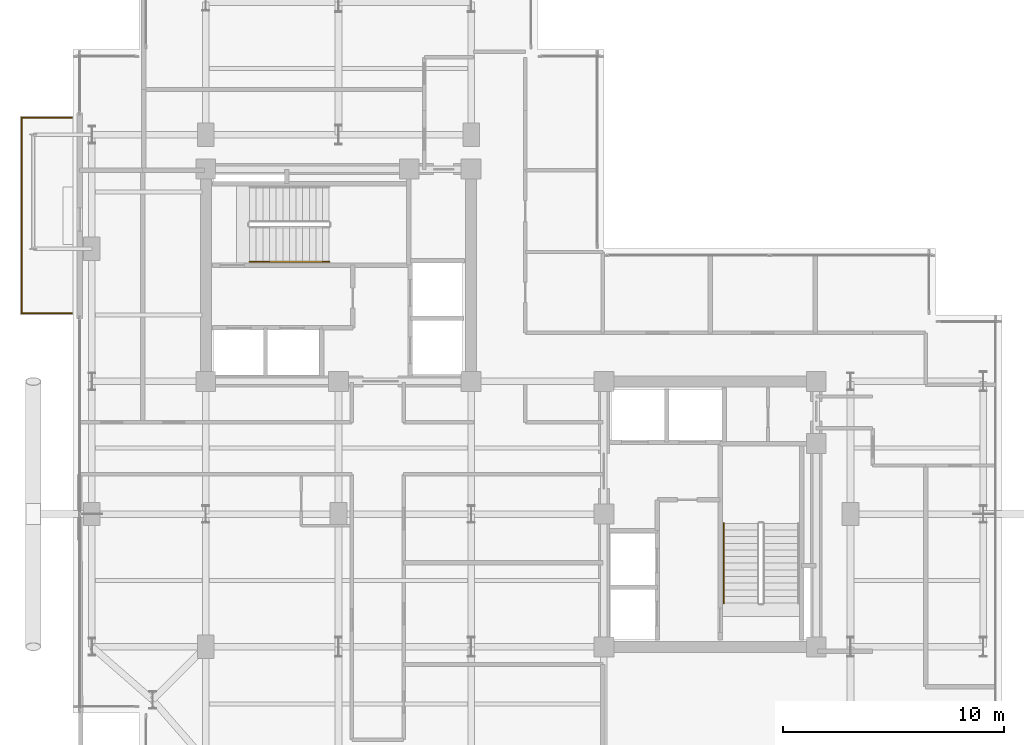
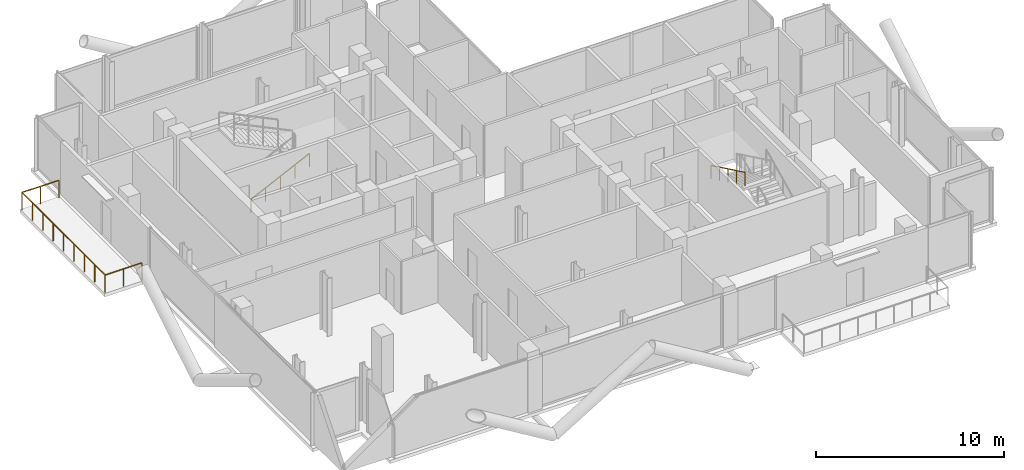
# One storey, part 23 of 25: 3 railings.
"""IFC4 building model written with IfcOpenShell, lengths in metres."""

from ifc_helpers import new_model, si_unit, direction, frame, origin, origin_2d, place, context, subcontext, project, spatial, rectangle, extrude, material, type_object, element, save


model = new_model("IFC4")

# Units and contexts
model_context = context("Model", 3, precision=1e-05, world=origin(), true_north=direction((0.0, 1.0)))
body_context = subcontext(model_context, "Body", "Model", "MODEL_VIEW")
ifc_project = project(units=[si_unit("LENGTHUNIT", "METRE"), si_unit("AREAUNIT", "SQUARE_METRE"), si_unit("VOLUMEUNIT", "CUBIC_METRE"), si_unit("PLANEANGLEUNIT", "RADIAN"), si_unit("MASSUNIT", "GRAM", prefix="KILO"), si_unit("THERMODYNAMICTEMPERATUREUNIT", "KELVIN"), si_unit("POWERUNIT", "WATT")], contexts=[model_context])

# Site, building, storey
site_placement = place(None, origin())
site = spatial("IfcSite", under=ifc_project, at=site_placement, CompositionType="ELEMENT")
building_placement = place(site_placement, origin())
building = spatial("IfcBuilding", under=site, at=building_placement, Name="Svarakhadi Broadcast Tower", CompositionType="ELEMENT")
storey_placement = place(building_placement, frame((0.0, 0.0, 231.14990234375)))
storey = spatial("IfcBuildingStorey", under=building, at=storey_placement, Name="L57", CompositionType="ELEMENT", Elevation=231.14990234375)

# Railings
ifc_material_1 = material(Name="Laminated Structural SentryGlas Balustrade 25.5 mm", Category="glass")
railing_type_1 = type_object("IfcRailingType", Name="Guard_Balcony_GR01", PredefinedType="BALUSTRADE", material=ifc_material_1)
railing_1_placement = place(storey_placement, frame((-0.06005859375, 21.080078125, 0.0)))
element("IfcRailing", 1, at=railing_1_placement, inside=storey, type_object=railing_type_1, Name="L57 West Tree Balcony Guard GR-05", PredefinedType="BALUSTRADE", context=body_context, shape_type="SweptSolid", body=[
    extrude(rectangle(XDim=0.048095703125, YDim=0.048095703125, at=origin_2d()), frame((0.0, 0.0, 1.1259765625), z_axis=(-1.0, 0.0, 0.0), x_axis=(0.0, -1.0, 0.0)), (0.0, 0.0, 1.0), 2.260009765625),
    extrude(rectangle(XDim=0.048095703125, YDim=0.048095703125, at=origin_2d()), frame((-2.260009765625, 0.0, 1.1259765625), z_axis=(0.0, 1.0, 0.0), x_axis=(-1.0, 0.0, 0.0)), (0.0, 0.0, 1.0), 8.83984375),
    extrude(rectangle(XDim=0.048095703125, YDim=0.048095703125, at=origin_2d()), frame((-2.260009765625, 8.83984375, 1.1259765625), z_axis=(1.0, 0.0, 0.0), x_axis=(0.0, 1.0, 0.0)), (0.0, 0.0, 1.0), 2.260009765625),
    extrude(rectangle(XDim=0.0419921875, YDim=0.0419921875, at=origin_2d()), origin(), (0.0, 0.0, 1.0), 1.101806640625),
    extrude(rectangle(XDim=0.0419921875, YDim=0.0419921875, at=origin_2d()), frame((-1.1298828125, 0.0, 0.0)), (0.0, 0.0, 1.0), 1.101806640625),
    extrude(rectangle(XDim=0.0419921875, YDim=0.0419921875, at=origin_2d()), frame((-2.260009765625, 0.0, 0.0)), (0.0, 0.0, 1.0), 1.101806640625),
    extrude(rectangle(XDim=0.0419921875, YDim=0.0419921875, at=origin_2d()), frame((-2.260009765625, 1.10498046875, 0.0)), (0.0, 0.0, 1.0), 1.101806640625),
    extrude(rectangle(XDim=0.0419921875, YDim=0.0419921875, at=origin_2d()), frame((-2.260009765625, 2.2099609375, 0.0)), (0.0, 0.0, 1.0), 1.101806640625),
    extrude(rectangle(XDim=0.0419921875, YDim=0.0419921875, at=origin_2d()), frame((-2.260009765625, 3.31494140625, 0.0)), (0.0, 0.0, 1.0), 1.101806640625),
    extrude(rectangle(XDim=0.0419921875, YDim=0.0419921875, at=origin_2d()), frame((-2.260009765625, 4.419921875, 0.0)), (0.0, 0.0, 1.0), 1.101806640625),
    extrude(rectangle(XDim=0.0419921875, YDim=0.0419921875, at=origin_2d()), frame((-2.260009765625, 5.52490234375, 0.0)), (0.0, 0.0, 1.0), 1.101806640625),
    extrude(rectangle(XDim=0.0419921875, YDim=0.0419921875, at=origin_2d()), frame((-2.260009765625, 6.6298828125, 0.0)), (0.0, 0.0, 1.0), 1.101806640625),
    extrude(rectangle(XDim=0.0419921875, YDim=0.0419921875, at=origin_2d()), frame((-2.260009765625, 7.73486328125, 0.0)), (0.0, 0.0, 1.0), 1.101806640625),
    extrude(rectangle(XDim=0.0419921875, YDim=0.0419921875, at=origin_2d()), frame((-2.260009765625, 8.83984375, 0.0)), (0.0, 0.0, 1.0), 1.101806640625),
    extrude(rectangle(XDim=0.0419921875, YDim=0.0419921875, at=origin_2d()), frame((-1.1298828125, 8.83984375, 0.0)), (0.0, 0.0, 1.0), 1.101806640625),
    extrude(rectangle(XDim=0.0419921875, YDim=0.0419921875, at=origin_2d()), frame((0.0, 8.83984375, 0.0)), (0.0, 0.0, 1.0), 1.101806640625),
])
ifc_material_2 = material(Name="Anodised Bronze Aluminium AA 6063-T6", Category="aluminium")
railing_type_2 = type_object("IfcRailingType", Name="Handrail_Stair_HR01", PredefinedType="HANDRAIL", material=ifc_material_2)
railing_2_placement = place(storey_placement, frame((7.97998046875, 23.409912109375, 0.144287109375)))
element("IfcRailing", 2, at=railing_2_placement, inside=storey, type_object=railing_type_2, Name="L57 ST-01 stair handrail 1", PredefinedType="HANDRAIL", context=body_context, shape_type="SweptSolid", body=[
    extrude(rectangle(XDim=0.048095703125, YDim=0.048095703125, at=origin_2d()), frame((0.0, 0.0, 0.8759765625), z_axis=(0.901262522062, 0.0, 0.433273431364), x_axis=(0.0, 1.0, 0.0)), (0.0, 0.0, 1.0), 3.994384765625),
    extrude(rectangle(XDim=0.0419921875, YDim=0.0419921875, at=origin_2d()), origin(), (0.0, 0.0, 1.0), 0.851806640625),
    extrude(rectangle(XDim=0.0419921875, YDim=0.0419921875, at=origin_2d()), frame((0.89990234375, 0.0, 0.4326171875)), (0.0, 0.0, 1.0), 0.851806640625),
    extrude(rectangle(XDim=0.0419921875, YDim=0.0419921875, at=origin_2d()), frame((1.800048828125, 0.0, 0.865234375)), (0.0, 0.0, 1.0), 0.851806640625),
    extrude(rectangle(XDim=0.0419921875, YDim=0.0419921875, at=origin_2d()), frame((2.7001953125, 0.0, 1.298095703125)), (0.0, 0.0, 1.0), 0.851806640625),
    extrude(rectangle(XDim=0.0419921875, YDim=0.0419921875, at=origin_2d()), frame((3.60009765625, 0.0, 1.730712890625)), (0.0, 0.0, 1.0), 0.851806640625),
])
railing_3_placement = place(storey_placement, frame((29.409912109375, 11.580078125, 2.019287109375)))
element("IfcRailing", 3, at=railing_3_placement, inside=storey, type_object=railing_type_2, Name="L57 ST-02 stair handrail 2", PredefinedType="HANDRAIL", context=body_context, shape_type="SweptSolid", body=[
    extrude(rectangle(XDim=0.048095703125, YDim=0.048095703125, at=origin_2d()), frame((0.0, 0.0, 0.8759765625), z_axis=(0.0, -0.901262522062, 0.433273431364), x_axis=(1.0, 0.0, 0.0)), (0.0, 0.0, 1.0), 3.994384765625),
    extrude(rectangle(XDim=0.0419921875, YDim=0.0419921875, at=origin_2d()), origin(), (0.0, 0.0, 1.0), 0.851806640625),
    extrude(rectangle(XDim=0.0419921875, YDim=0.0419921875, at=origin_2d()), frame((0.0, -0.89990234375, 0.4326171875)), (0.0, 0.0, 1.0), 0.851806640625),
    extrude(rectangle(XDim=0.0419921875, YDim=0.0419921875, at=origin_2d()), frame((0.0, -1.800048828125, 0.865234375)), (0.0, 0.0, 1.0), 0.851806640625),
    extrude(rectangle(XDim=0.0419921875, YDim=0.0419921875, at=origin_2d()), frame((0.0, -2.7001953125, 1.298095703125)), (0.0, 0.0, 1.0), 0.851806640625),
    extrude(rectangle(XDim=0.0419921875, YDim=0.0419921875, at=origin_2d()), frame((0.0, -3.60009765625, 1.730712890625)), (0.0, 0.0, 1.0), 0.851806640625),
])

save(model, "model.ifc")
